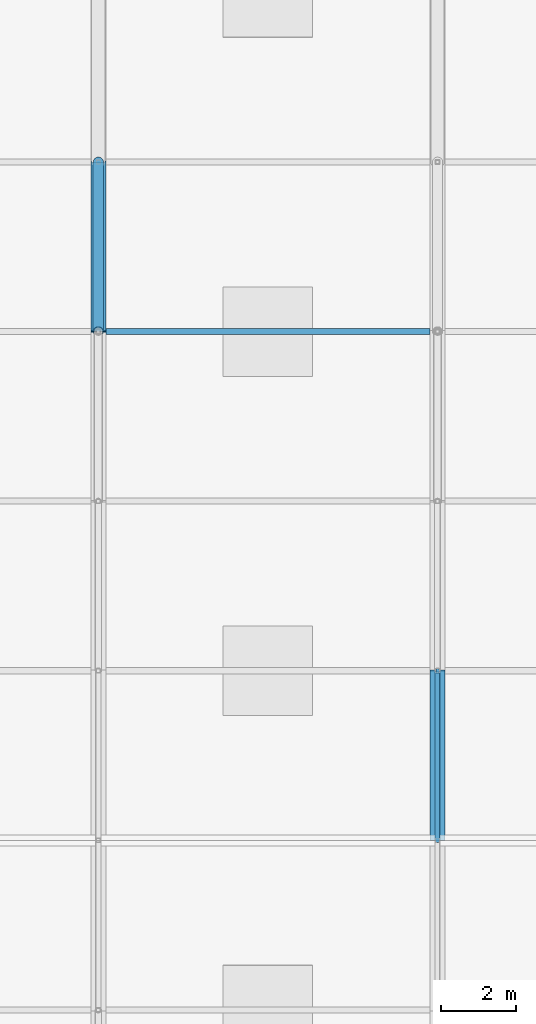
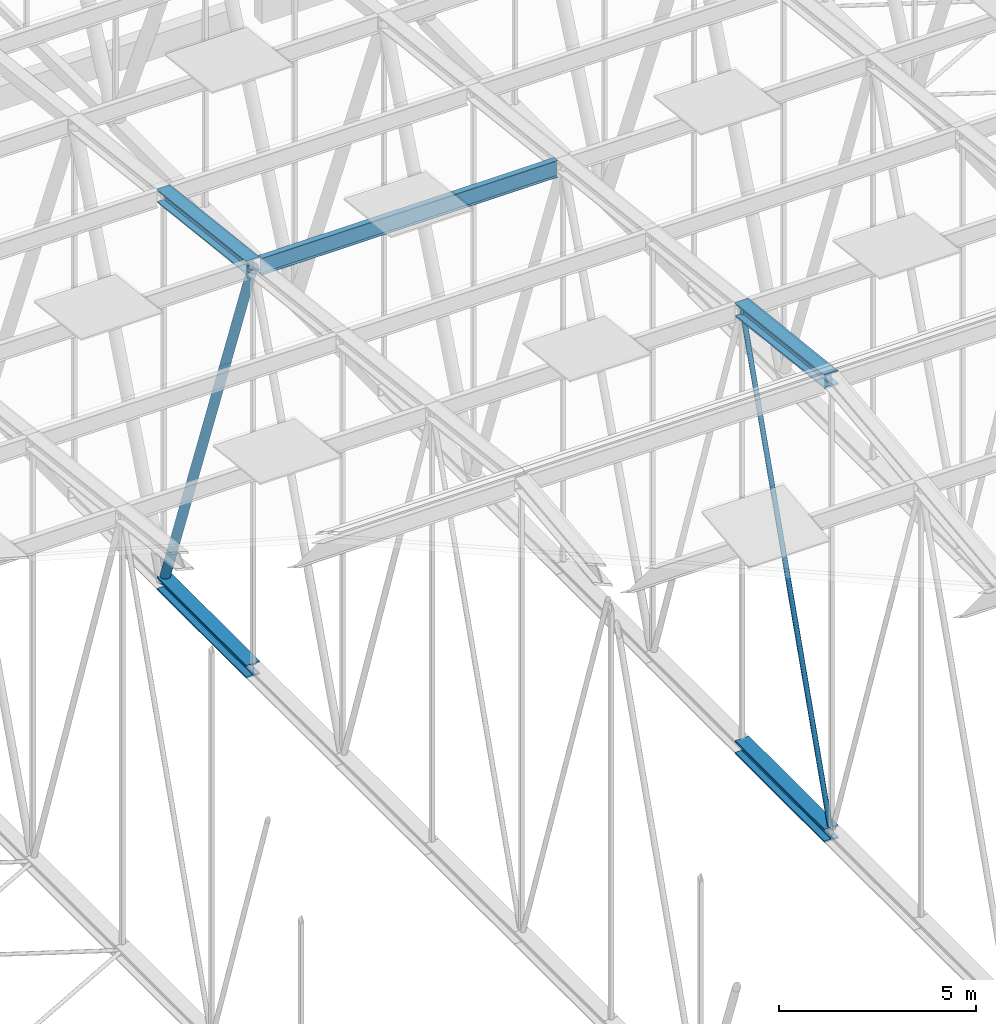
# One storey, part 257 of 500: 7 members.
"""IFC4 building model written with IfcOpenShell, lengths in metres."""

import ifcopenshell
import ifcopenshell.guid

model = None  # the IFC model being written
_history = None  # IfcOwnerHistory: only IFC2X3 demands one
_inside = {}  # id of a spatial element -> (the spatial element, [elements in it])
_under = {}  # id of a project, library or spatial element -> (it, [spatial elements below it])
_declared = {}  # id of a project -> (the project, [libraries it declares])
_typed = {}  # id of a type object -> (the type object, [elements of that type])
_made_of = {}  # id of a material, layer set ... -> (it, [elements and type objects made of it])


def new_model(schema):
    """Start an empty IFC model of exactly this schema.

    Asked for "IFC4X3", IfcOpenShell would pick the latest addendum, in which some entities
    have other attributes; the version numbers below select the first issue.
    IFC2X3 requires an IfcOwnerHistory on every rooted entity: one is made here for all.
    """
    global model, _history
    if schema == "IFC4X3":
        model = ifcopenshell.file(schema_version=(4, 3, 0, 0))
    else:
        model = ifcopenshell.file(schema=schema)
    _inside.clear()
    _under.clear()
    _declared.clear()
    _typed.clear()
    _made_of.clear()
    _history = None
    if model.schema == "IFC2X3":
        org = make("IfcOrganization", Name="unknown")
        user = make(
            "IfcPersonAndOrganization",
            ThePerson=make("IfcPerson", FamilyName="unknown"),
            TheOrganization=org,
        )
        app = make(
            "IfcApplication",
            ApplicationDeveloper=org,
            Version="unknown",
            ApplicationFullName="unknown",
            ApplicationIdentifier="unknown",
        )
        _history = make(
            "IfcOwnerHistory",
            OwningUser=user,
            OwningApplication=app,
            ChangeAction="ADDED",
            CreationDate=0,
        )
    return model


def make(cls, **values):
    """One entity of the class cls with the attributes given. An attribute that is None is left unset."""
    return model.create_entity(
        cls, **{name: value for name, value in values.items() if value is not None}
    )


def rooted(cls, **values):
    """An entity with a GlobalId (a new one), such as an element, a storey or a relation."""
    return make(cls, GlobalId=ifcopenshell.guid.new(), OwnerHistory=_history, **values)


def si_unit(unit_type, name, prefix=None):
    """IfcSIUnit, for example si_unit("LENGTHUNIT", "METRE", prefix="MILLI")."""
    return make("IfcSIUnit", UnitType=unit_type, Prefix=prefix, Name=name)


def assignment(units):
    """IfcUnitAssignment: the units of a project."""
    return None if units is None else make("IfcUnitAssignment", Units=units)


def point(xyz):
    """IfcCartesianPoint."""
    return None if xyz is None else make("IfcCartesianPoint", Coordinates=xyz)


def direction(xyz):
    """IfcDirection."""
    return None if xyz is None else make("IfcDirection", DirectionRatios=xyz)


def frame(location, z_axis=None, x_axis=None):
    """IfcAxis2Placement3D, a coordinate frame: its origin and axes. An axis left out is left unset."""
    return make(
        "IfcAxis2Placement3D",
        Location=point(location),
        Axis=direction(z_axis),
        RefDirection=direction(x_axis),
    )


def frame_2d(location, x_axis=None):
    """IfcAxis2Placement2D, a coordinate frame in the plane: its origin and x axis."""
    return make(
        "IfcAxis2Placement2D", Location=point(location), RefDirection=direction(x_axis)
    )


def origin():
    """The frame at (0, 0, 0) with its axes left unset."""
    return frame((0.0, 0.0, 0.0))


def origin_2d():
    """The frame at (0, 0) in the plane with its x axis left unset."""
    return frame_2d((0.0, 0.0))


def place(relative_to, where):
    """IfcLocalPlacement: puts the frame where relative to a parent placement (None: the world)."""
    return make(
        "IfcLocalPlacement", PlacementRelTo=relative_to, RelativePlacement=where
    )


def context(
    kind, dimensions, precision=None, world=None, true_north=None, identifier=None
):
    """IfcGeometricRepresentationContext, for example the 3D "Model" context."""
    return make(
        "IfcGeometricRepresentationContext",
        ContextIdentifier=identifier,
        ContextType=kind,
        CoordinateSpaceDimension=dimensions,
        Precision=precision,
        WorldCoordinateSystem=world,
        TrueNorth=true_north,
    )


def subcontext(parent, identifier, kind, view, scale=None):
    """IfcGeometricRepresentationSubContext, for example "Body" below "Model"."""
    return make(
        "IfcGeometricRepresentationSubContext",
        ContextIdentifier=identifier,
        ContextType=kind,
        ParentContext=parent,
        TargetScale=scale,
        TargetView=view,
    )


def project(units=None, contexts=None):
    """IfcProject with its units and contexts."""
    return rooted(
        "IfcProject",
        Name="project",
        RepresentationContexts=contexts,
        UnitsInContext=assignment(units),
    )


def spatial(cls, under=None, at=None, **own):
    """A site, building, storey or space (cls), placed at a placement, below another one or the project."""
    s = rooted(cls, ObjectPlacement=at, **own)
    if under is not None:
        _under.setdefault(under.id(), (under, []))[1].append(s)
    return s


def profile(cls, at=None, kind="AREA", **sizes):
    """A parametric profile (cls). Its sizes go by their IFC names, for example OverallWidth=200.0."""
    return make(cls, ProfileType=kind, Position=at, **sizes)


def hollow_circle(**sizes):
    """IfcCircleHollowProfileDef."""
    return profile("IfcCircleHollowProfileDef", **sizes)


def i_section(**sizes):
    """IfcIShapeProfileDef."""
    return profile("IfcIShapeProfileDef", **sizes)


def extrude(swept, where, along, depth):
    """IfcExtrudedAreaSolid: the profile swept, set in the frame where, extruded along a direction by depth."""
    return make(
        "IfcExtrudedAreaSolid",
        SweptArea=swept,
        Position=where,
        ExtrudedDirection=direction(along),
        Depth=depth,
    )


def shape(context_of_items, identifier, shape_type, items):
    """IfcShapeRepresentation: the items that make up one representation, for example the "Body"."""
    return make(
        "IfcShapeRepresentation",
        ContextOfItems=context_of_items,
        RepresentationIdentifier=identifier,
        RepresentationType=shape_type,
        Items=items,
    )


def material(Name=None, Category=None):
    """IfcMaterial."""
    return make("IfcMaterial", Name=Name, Category=Category)


def material_profile(
    of_material, cross_section, Name=None, Category=None, Priority=None
):
    """IfcMaterialProfile: a cross section and its material."""
    return make(
        "IfcMaterialProfile",
        Name=Name,
        Material=of_material,
        Profile=cross_section,
        Priority=Priority,
        Category=Category,
    )


def profile_set(profiles, Name=None, composite=None):
    """IfcMaterialProfileSet."""
    return make(
        "IfcMaterialProfileSet",
        Name=Name,
        MaterialProfiles=profiles,
        CompositeProfile=composite,
    )


def made_of(thing, what):
    """Note that an element or type object is made of a material, layer set ...; save() writes the relation."""
    if what is not None:
        _made_of.setdefault(what.id(), (what, []))[1].append(thing)
    return thing


def type_object(cls, material=None, **own):
    """A type object (cls), such as IfcWallType, which elements share."""
    return made_of(rooted(cls, **own), material)


def element(
    cls,
    number,
    at=None,
    inside=None,
    cuts=None,
    type_object=None,
    material=None,
    context=None,
    identifier="Body",
    shape_type=None,
    held_by="IfcProductDefinitionShape",
    body=None,
    shapes=None,
    **own,
):
    """One element of the class cls, such as IfcWall. Its Tag is "e" and its number.

    at: its placement. inside: the storey or other place that contains it. cuts: it is an
    opening in that element (IfcRelVoidsElement). A single representation is given by context,
    identifier, shape_type and body (its items); several are given by shapes. held_by: the class
    of the entity that holds the representations. save() writes the other relations.
    """
    e = rooted(cls, Tag="e%d" % number, ObjectPlacement=at, **own)
    if body is not None:
        shapes = [shape(context, identifier, shape_type, body)]
    if shapes is not None:
        e.Representation = make(held_by, Representations=shapes)
    if inside is not None:
        _inside.setdefault(inside.id(), (inside, []))[1].append(e)
    if cuts is not None:
        rooted(
            "IfcRelVoidsElement", RelatingBuildingElement=cuts, RelatedOpeningElement=e
        )
    if type_object is not None:
        _typed.setdefault(type_object.id(), (type_object, []))[1].append(e)
    return made_of(e, material)


def aggregate(whole, parts):
    """IfcRelAggregates: a whole, such as a stair, and the parts it consists of."""
    return rooted("IfcRelAggregates", RelatingObject=whole, RelatedObjects=parts)


def save(model, path):
    """Write the relations noted so far, then the file.

    IfcRelAggregates (storeys below a building ...), IfcRelContainedInSpatialStructure (elements
    in a storey), IfcRelDefinesByType, IfcRelAssociatesMaterial and IfcRelDeclares: one each for
    every whole, place, type object, material and project.
    """
    for whole, parts in _under.values():
        aggregate(whole, parts)
    for where, things in _inside.values():
        rooted(
            "IfcRelContainedInSpatialStructure",
            RelatedElements=things,
            RelatingStructure=where,
        )
    for kind, things in _typed.values():
        rooted("IfcRelDefinesByType", RelatedObjects=things, RelatingType=kind)
    for what, things in _made_of.values():
        rooted("IfcRelAssociatesMaterial", RelatedObjects=things, RelatingMaterial=what)
    for by, libraries in _declared.values():
        rooted("IfcRelDeclares", RelatingContext=by, RelatedDefinitions=libraries)
    model.write(path)


model = new_model("IFC4")

# Units and contexts
model_context = context("Model", 3, precision=1e-05, world=origin(), true_north=direction((0.0, 1.0)))
body_context = subcontext(model_context, "Body", "Model", "MODEL_VIEW")
ifc_project = project(units=[si_unit("LENGTHUNIT", "METRE"), si_unit("AREAUNIT", "SQUARE_METRE"), si_unit("VOLUMEUNIT", "CUBIC_METRE"), si_unit("PLANEANGLEUNIT", "RADIAN"), si_unit("MASSUNIT", "GRAM", prefix="KILO")], contexts=[model_context])

# Site, building, storey
site_placement = place(None, origin())
site = spatial("IfcSite", under=ifc_project, at=site_placement, CompositionType="ELEMENT")
building_placement = place(site_placement, origin())
building = spatial("IfcBuilding", under=site, at=building_placement, Name="Shirokan Park Arena", CompositionType="ELEMENT")
storey_placement = place(building_placement, frame((0.0, 0.0, 29.1201171875)))
storey = spatial("IfcBuildingStorey", under=building, at=storey_placement, Name="L06", CompositionType="ELEMENT", Elevation=29.1201171875)

# Members
ifc_material_1 = material(Name="Steel ASTM A992", Category="steel")
ifc_material_profile_1 = material_profile(ifc_material_1, i_section(OverallWidth=0.40087890625, OverallDepth=0.39892578125, WebThickness=0.02490234375, FlangeThickness=0.03955078125, at=origin_2d()), Name="W360X314")
ifc_profile_set_1 = profile_set([ifc_material_profile_1], Name="Steel ASTM A992")
member_type_1 = type_object("IfcMemberType", Name="Bottom chord W360X314", PredefinedType="CHORD", material=ifc_profile_set_1)
member_1_placement = place(storey_placement, frame((63.699951171875, 68.25, 4.677001953125), z_axis=(0.0, 1.0, 0.0), x_axis=(-1.0, 0.0, 0.0)))
element("IfcMember", 1, at=member_1_placement, inside=storey, type_object=member_type_1, Name="Truss T08 bottom chord 18", PredefinedType="CHORD", context=body_context, shape_type="SweptSolid", body=[
    extrude(i_section(OverallWidth=0.40087890625, OverallDepth=0.39892578125, WebThickness=0.02490234375, FlangeThickness=0.03955078125, at=origin_2d()), origin(), (0.0, 0.0, 1.0), 4.550048828125),
])
ifc_material_profile_2 = material_profile(ifc_material_1, i_section(OverallWidth=0.406005859375, OverallDepth=0.4169921875, WebThickness=0.030029296875, FlangeThickness=0.048095703125, at=origin_2d()), Name="W360X382")
ifc_profile_set_2 = profile_set([ifc_material_profile_2], Name="Steel ASTM A992")
member_type_2 = type_object("IfcMemberType", Name="Bottom chord W360X382", PredefinedType="CHORD", material=ifc_profile_set_2)
member_2_placement = place(storey_placement, frame((72.800048828125, 54.60009765625, 4.677001953125), z_axis=(0.0, 1.0, 0.0), x_axis=(-1.0, 0.0, 0.0)))
element("IfcMember", 2, at=member_2_placement, inside=storey, type_object=member_type_2, Name="Truss T09 bottom chord 15", PredefinedType="CHORD", context=body_context, shape_type="SweptSolid", body=[
    extrude(i_section(OverallWidth=0.406005859375, OverallDepth=0.4169921875, WebThickness=0.030029296875, FlangeThickness=0.048095703125, at=origin_2d()), origin(), (0.0, 0.0, 1.0), 4.5498046875),
])
ifc_material_profile_3 = material_profile(ifc_material_1, i_section(OverallWidth=0.166015625, OverallDepth=0.528076171875, WebThickness=0.009765625, FlangeThickness=0.013671875, at=origin_2d()), Name="W530X74")
ifc_profile_set_3 = profile_set([ifc_material_profile_3], Name="Steel ASTM A992")
member_type_3 = type_object("IfcMemberType", Name="Purlin W530X74", PredefinedType="PURLIN", material=ifc_profile_set_3)
member_3_placement = place(storey_placement, frame((63.900390625, 68.25, 17.165771484375), z_axis=(1.0, 0.0, 0.0), x_axis=(0.0, 1.0, 0.0)))
element("IfcMember", 3, at=member_3_placement, inside=storey, type_object=member_type_3, Name="Purlin 18 bay 8", PredefinedType="PURLIN", context=body_context, shape_type="SweptSolid", body=[
    extrude(i_section(OverallWidth=0.166015625, OverallDepth=0.528076171875, WebThickness=0.009765625, FlangeThickness=0.013671875, at=origin_2d()), origin(), (0.0, 0.0, 1.0), 8.69921875),
])
ifc_material_profile_4 = material_profile(ifc_material_1, i_section(OverallWidth=0.40087890625, OverallDepth=0.39892578125, WebThickness=0.02490234375, FlangeThickness=0.03955078125, at=origin_2d()), Name="W360X314")
ifc_profile_set_4 = profile_set([ifc_material_profile_4], Name="Steel ASTM A992")
member_type_4 = type_object("IfcMemberType", Name="Top chord W360X314", PredefinedType="CHORD", material=ifc_profile_set_4)
member_4_placement = place(storey_placement, frame((63.699951171875, 68.25, 17.221435546875), z_axis=(0.0, 0.993532328996, -0.113549598152), x_axis=(-1.0, 0.0, 0.0)))
element("IfcMember", 4, at=member_4_placement, inside=storey, type_object=member_type_4, Name="Truss T08 top chord 18", PredefinedType="CHORD", context=body_context, shape_type="SweptSolid", body=[
    extrude(i_section(OverallWidth=0.40087890625, OverallDepth=0.39892578125, WebThickness=0.02490234375, FlangeThickness=0.03955078125, at=origin_2d()), origin(), (0.0, 0.0, 1.0), 4.57958984375),
])
ifc_material_profile_5 = material_profile(ifc_material_1, i_section(OverallWidth=0.406005859375, OverallDepth=0.4169921875, WebThickness=0.030029296875, FlangeThickness=0.048095703125, at=origin_2d()), Name="W360X382")
ifc_profile_set_5 = profile_set([ifc_material_profile_5], Name="Steel ASTM A992")
member_type_5 = type_object("IfcMemberType", Name="Top chord W360X382", PredefinedType="CHORD", material=ifc_profile_set_5)
member_5_placement = place(storey_placement, frame((72.800048828125, 54.60009765625, 18.781494140625), z_axis=(0.0, 0.993531641592, -0.11355561261), x_axis=(-1.0, 0.0, 0.0)))
element("IfcMember", 5, at=member_5_placement, inside=storey, type_object=member_type_5, Name="Truss T09 top chord 15", PredefinedType="CHORD", context=body_context, shape_type="SweptSolid", body=[
    extrude(i_section(OverallWidth=0.406005859375, OverallDepth=0.4169921875, WebThickness=0.030029296875, FlangeThickness=0.048095703125, at=origin_2d()), origin(), (0.0, 0.0, 1.0), 4.579345703125),
])
ifc_material_2 = material(Name="Steel ASTM A500 Grade C", Category="steel")
ifc_material_profile_6 = material_profile(ifc_material_2, hollow_circle(Radius=0.070556640625, WallThickness=0.006591796875, at=origin_2d()), Name="HSS141.3X6.6")
ifc_profile_set_6 = profile_set([ifc_material_profile_6], Name="Steel ASTM A500 Grade C")
member_type_6 = type_object("IfcMemberType", Name="Truss diagonal HSS141.3X6.6", PredefinedType="BRACE", material=ifc_profile_set_6)
member_6_placement = place(storey_placement, frame((72.800048828125, 54.60009765625, 4.677001953125), z_axis=(0.0, 0.317587361237, 0.948229016632), x_axis=(-1.0, 0.0, 0.0)))
element("IfcMember", 6, at=member_6_placement, inside=storey, type_object=member_type_6, Name="Truss T09 diagonal 15", PredefinedType="BRACE", context=body_context, shape_type="SweptSolid", body=[
    extrude(hollow_circle(Radius=0.070556640625, WallThickness=0.006591796875, at=origin_2d()), origin(), (0.0, 0.0, 1.0), 14.326171875),
])
ifc_material_profile_7 = material_profile(ifc_material_2, hollow_circle(Radius=0.136474609375, WallThickness=0.009521484375, at=origin_2d()), Name="HSS273.1X9.5")
ifc_profile_set_7 = profile_set([ifc_material_profile_7], Name="Steel ASTM A500 Grade C")
member_type_7 = type_object("IfcMemberType", Name="Truss diagonal HSS273.1X9.5", PredefinedType="BRACE", material=ifc_profile_set_7)
member_7_placement = place(storey_placement, frame((63.699951171875, 68.25, 17.221435546875), z_axis=(0.0, 0.340977600467, -0.94007142068), x_axis=(-1.0, 0.0, 0.0)))
element("IfcMember", 7, at=member_7_placement, inside=storey, type_object=member_type_7, Name="Truss T08 diagonal 18", PredefinedType="BRACE", context=body_context, shape_type="SweptSolid", body=[
    extrude(hollow_circle(Radius=0.136474609375, WallThickness=0.009521484375, at=origin_2d()), origin(), (0.0, 0.0, 1.0), 13.34423828125),
])

save(model, "model.ifc")
